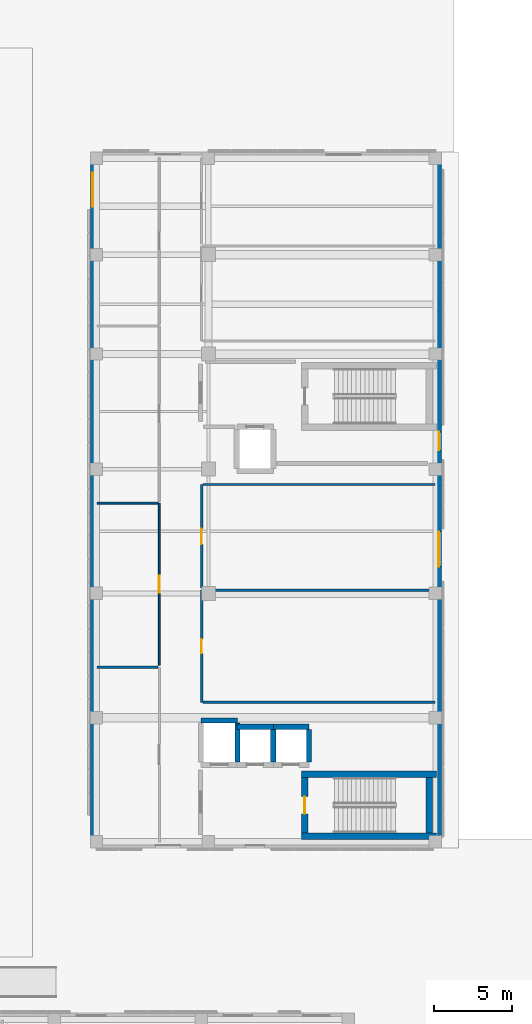
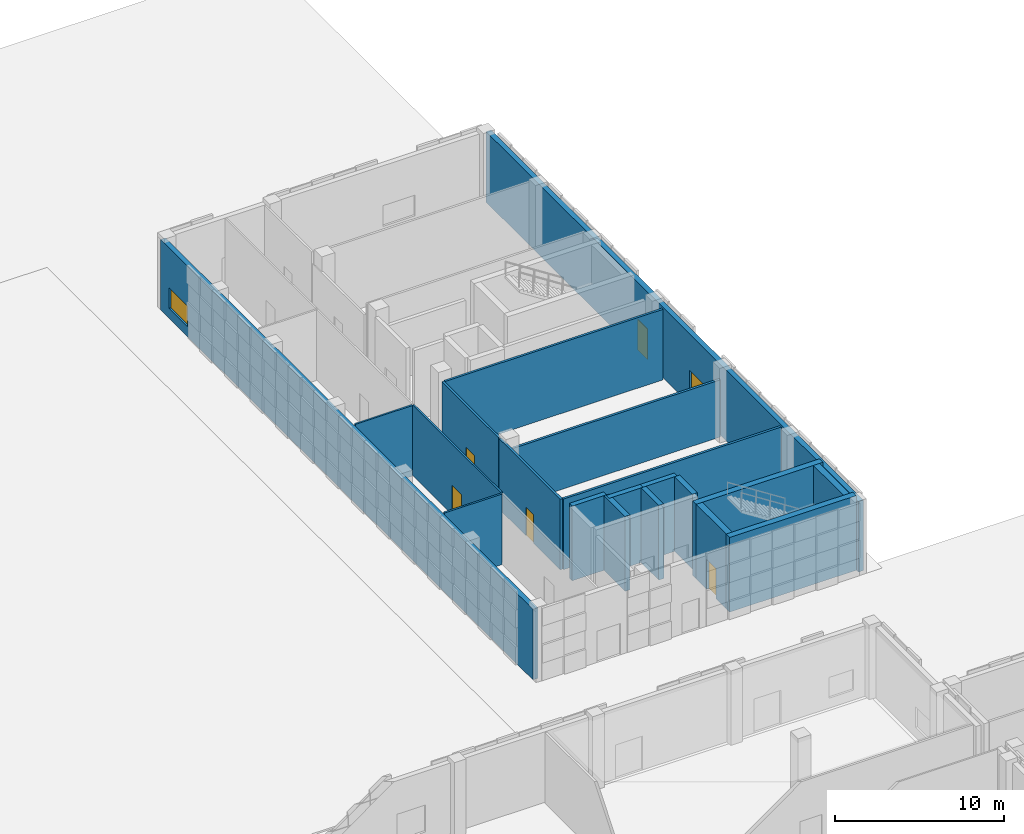
# One storey, part 12 of 40: 20 walls, 5 doors, 2 windows, 7 openings.
"""IFC4 building model written with IfcOpenShell, lengths in metres."""

from ifc_helpers import new_model, si_unit, direction, frame, frame_2d, origin, place, context, subcontext, project, spatial, rectangle, extrude, material, layer, layer_set, type_object, element, fill, save


model = new_model("IFC4")

# Units and contexts
model_context = context("Model", 3, precision=1e-05, world=origin(), true_north=direction((0.0, 1.0)))
body_context = subcontext(model_context, "Body", "Model", "MODEL_VIEW")
ifc_project = project(units=[si_unit("LENGTHUNIT", "METRE"), si_unit("AREAUNIT", "SQUARE_METRE"), si_unit("VOLUMEUNIT", "CUBIC_METRE"), si_unit("PLANEANGLEUNIT", "RADIAN"), si_unit("MASSUNIT", "GRAM", prefix="KILO")], contexts=[model_context])

# Site, building, storey
site_placement = place(None, origin())
site = spatial("IfcSite", under=ifc_project, at=site_placement, CompositionType="ELEMENT")
building_placement = place(site_placement, origin())
building = spatial("IfcBuilding", under=site, at=building_placement, Name="Qalavern Law Courts", CompositionType="ELEMENT")
storey_placement = place(building_placement, origin())
storey = spatial("IfcBuildingStorey", under=building, at=storey_placement, Name="L00", CompositionType="ELEMENT", Elevation=0.0)

# Wall, openings, door, window
ifc_material_1 = material(Name="Concrete C40/50", Category="concrete")
ifc_layer_1 = layer(ifc_material_1, 0.340087890625)
ifc_layer_set_1 = layer_set([ifc_layer_1], Name="Concrete C40/50")
wall_type_1 = type_object("IfcWallType", Name="ENV-EW-340", PredefinedType="SOLIDWALL", material=ifc_layer_set_1)
wall_1_placement = place(storey_placement, frame((106.6298828125, 41.35498046875, 0.0), z_axis=(0.0, 0.0, 1.0), x_axis=(0.0, 1.0, 0.0)))
wall_1 = element("IfcWall", 1, at=wall_1_placement, inside=storey, type_object=wall_type_1, Name="V4 exterior wall L00 east 1", PredefinedType="SOLIDWALL", context=body_context, shape_type="SweptSolid", body=[
    extrude(rectangle(XDim=44.110107421875, YDim=0.340087890625, at=frame_2d((22.05517578125, 0.0))), origin(), (0.0, 0.0, 1.0), 5.10009765625),
])
opening_1_placement = place(wall_1_placement, frame((25.2451171875, 0.0, 0.0)))
opening_1 = element("IfcOpeningElement", 2, at=opening_1_placement, cuts=wall_1, Name="Opening ED-ST-K1B", PredefinedType="OPENING", context=body_context, shape_type="SweptSolid", body=[
    extrude(rectangle(XDim=1.199951171875, YDim=2.199951171875, at=frame_2d((0.60009765625, 1.10009765625))), frame((0.0, 0.18505859375, 0.0), z_axis=(0.0, -1.0, 0.0), x_axis=(1.0, 0.0, 0.0)), (0.0, 0.0, 1.0), 0.369873046875),
])
opening_2_placement = place(wall_1_placement, frame((17.77490234375, 0.0, 0.719970703125)))
opening_2 = element("IfcOpeningElement", 3, at=opening_2_placement, cuts=wall_1, Name="Opening WN-16", PredefinedType="OPENING", context=body_context, shape_type="SweptSolid", body=[
    extrude(rectangle(XDim=2.25, YDim=1.75, at=frame_2d((1.125, 0.875))), frame((0.0, 0.18505859375, 0.0), z_axis=(0.0, -1.0, 0.0), x_axis=(1.0, 0.0, 0.0)), (0.0, 0.0, 1.0), 0.369873046875),
])
ifc_material_2 = material(Name="Thermally broken anodised aluminium and laminated safety glass", Category="aluminium")
door_type_1 = type_object("IfcDoorType", Name="ENV-ED-1200x2200", OperationType="NOTDEFINED", PredefinedType="DOOR", material=ifc_material_2)
door_1_placement = place(opening_1_placement, frame((1.199951171875, 0.0, 0.0), z_axis=(0.0, 0.0, 1.0), x_axis=(-1.0, 0.0, 0.0)))
door_1 = element("IfcDoor", 4, at=door_1_placement, inside=storey, type_object=door_type_1, Name="Ground pedestrian exit door ED-ST-K1B", OperationType="SINGLE_SWING_RIGHT", OverallHeight=2.199951171875, OverallWidth=1.199951171875, PredefinedType="DOOR", context=body_context, shape_type="SweptSolid", body=[
    extrude(rectangle(XDim=1.199951171875, YDim=2.199951171875, at=frame_2d((0.60009765625, 1.10009765625))), frame((0.0, 0.02490234375, 0.0), z_axis=(0.0, -1.0, 0.0), x_axis=(1.0, 0.0, 0.0)), (0.0, 0.0, 1.0), 0.050048828125),
])
fill(opening_1, door_1)
ifc_material_3 = material(Name="Anodised aluminium frame with low-E double glazing", Category="aluminium")
window_type_1 = type_object("IfcWindowType", Name="ENV-WIN-2250x1750", PartitioningType="SINGLE_PANEL", PredefinedType="WINDOW", material=ifc_material_3)
window_1_placement = place(opening_2_placement, origin())
window_1 = element("IfcWindow", 5, at=window_1_placement, inside=storey, type_object=window_type_1, Name="V4 window L00 east 5", OverallHeight=1.75, OverallWidth=2.25, PartitioningType="SINGLE_PANEL", PredefinedType="WINDOW", context=body_context, shape_type="SweptSolid", body=[
    extrude(rectangle(XDim=2.25, YDim=1.75, at=frame_2d((1.125, 0.875))), frame((0.0, 0.030029296875, 0.0), z_axis=(0.0, -1.0, 0.0), x_axis=(1.0, 0.0, 0.0)), (0.0, 0.0, 1.0), 0.06005859375),
])
fill(opening_2, window_1)

# Wall, opening, window
wall_2_placement = place(storey_placement, frame((84.3701171875, 85.465087890625, 0.0), z_axis=(0.0, 0.0, 1.0), x_axis=(0.0, -1.0, 0.0)))
wall_2 = element("IfcWall", 6, at=wall_2_placement, inside=storey, type_object=wall_type_1, Name="V4 exterior wall L00 west 1", PredefinedType="SOLIDWALL", context=body_context, shape_type="SweptSolid", body=[
    extrude(rectangle(XDim=44.110107421875, YDim=0.340087890625, at=frame_2d((22.05517578125, 0.0))), origin(), (0.0, 0.0, 1.0), 5.10009765625),
])
opening_3_placement = place(wall_2_placement, frame((1.0, 0.0, 0.719970703125)))
opening_3 = element("IfcOpeningElement", 7, at=opening_3_placement, cuts=wall_2, Name="Opening WN-08", PredefinedType="OPENING", context=body_context, shape_type="SweptSolid", body=[
    extrude(rectangle(XDim=2.199951171875, YDim=1.5, at=frame_2d((1.10009765625, 0.75))), frame((0.0, 0.18505859375, 0.0), z_axis=(0.0, -1.0, 0.0), x_axis=(1.0, 0.0, 0.0)), (0.0, 0.0, 1.0), 0.369873046875),
])
window_type_2 = type_object("IfcWindowType", Name="ENV-WIN-2200x1500", PartitioningType="SINGLE_PANEL", PredefinedType="WINDOW", material=ifc_material_3)
window_2_placement = place(opening_3_placement, origin())
window_2 = element("IfcWindow", 8, at=window_2_placement, inside=storey, type_object=window_type_2, Name="V4 window L00 west 1", OverallHeight=1.5, OverallWidth=2.199951171875, PartitioningType="SINGLE_PANEL", PredefinedType="WINDOW", context=body_context, shape_type="SweptSolid", body=[
    extrude(rectangle(XDim=2.199951171875, YDim=1.5, at=frame_2d((1.10009765625, 0.75))), frame((0.0, 0.030029296875, 0.0), z_axis=(0.0, -1.0, 0.0), x_axis=(1.0, 0.0, 0.0)), (0.0, 0.0, 1.0), 0.06005859375),
])
fill(opening_3, window_2)

# Walls
ifc_material_4 = material(Name="Concrete C45/55", Category="concrete")
ifc_layer_2 = layer(ifc_material_4, 0.4150390625)
ifc_layer_set_2 = layer_set([ifc_layer_2], Name="Concrete C45/55")
wall_type_2 = type_object("IfcWallType", Name="INT-CW-415", PredefinedType="SHEAR", material=ifc_layer_set_2)
wall_3_placement = place(storey_placement, frame((97.784912109375, 41.79248046875, 0.0), z_axis=(0.0, 0.0, 1.0), x_axis=(1.0, 0.0, 0.0)))
element("IfcWall", 9, at=wall_3_placement, inside=storey, type_object=wall_type_2, Name="Core K1A stair shear wall L00 south", PredefinedType="SHEAR", context=body_context, shape_type="SweptSolid", body=[
    extrude(rectangle(XDim=8.672119140625, YDim=0.4150390625, at=frame_2d((4.3359375, 0.0))), origin(), (0.0, 0.0, 1.0), 5.39990234375),
])
wall_4_placement = place(storey_placement, frame((106.007568359375, 42.0, 0.0), z_axis=(0.0, 0.0, 1.0), x_axis=(0.0, 1.0, 0.0)))
element("IfcWall", 10, at=wall_4_placement, inside=storey, type_object=wall_type_2, Name="Core K1A stair shear wall L00 east", PredefinedType="SHEAR", context=body_context, shape_type="SweptSolid", body=[
    extrude(rectangle(XDim=3.550048828125, YDim=0.4150390625, at=frame_2d((1.77490234375, 0.0))), origin(), (0.0, 0.0, 1.0), 5.39990234375),
])
wall_5_placement = place(storey_placement, frame((106.45703125, 45.757568359375, 0.0), z_axis=(0.0, 0.0, 1.0), x_axis=(-1.0, 0.0, 0.0)))
element("IfcWall", 11, at=wall_5_placement, inside=storey, type_object=wall_type_2, Name="Core K1A stair shear wall L00 north", PredefinedType="SHEAR", context=body_context, shape_type="SweptSolid", body=[
    extrude(rectangle(XDim=8.672119140625, YDim=0.4150390625, at=frame_2d((4.3359375, 0.0))), origin(), (0.0, 0.0, 1.0), 5.39990234375),
])

# Wall, opening, door
wall_6_placement = place(storey_placement, frame((97.992431640625, 45.550048828125, 0.0), z_axis=(0.0, 0.0, 1.0), x_axis=(0.0, -1.0, 0.0)))
wall_6 = element("IfcWall", 12, at=wall_6_placement, inside=storey, type_object=wall_type_2, Name="Core K1A stair shear wall L00 west", PredefinedType="SHEAR", context=body_context, shape_type="SweptSolid", body=[
    extrude(rectangle(XDim=3.550048828125, YDim=0.4150390625, at=frame_2d((1.77490234375, 0.0))), origin(), (0.0, 0.0, 1.0), 5.39990234375),
])
opening_4_placement = place(wall_6_placement, frame((1.22509765625, 0.0, 0.0)))
opening_4 = element("IfcOpeningElement", 13, at=opening_4_placement, cuts=wall_6, Name="Opening L00-D005", PredefinedType="OPENING", context=body_context, shape_type="SweptSolid", body=[
    extrude(rectangle(XDim=1.10009765625, YDim=2.14990234375, at=frame_2d((0.550048828125, 1.074951171875))), frame((0.0, 0.222412109375, 0.0), z_axis=(0.0, -1.0, 0.0), x_axis=(1.0, 0.0, 0.0)), (0.0, 0.0, 1.0), 0.44482421875),
])
ifc_material_5 = material(Name="Steel fire-rated stair enclosure door", Category="steel")
door_type_2 = type_object("IfcDoorType", Name="INT-FD-1100x2150", OperationType="NOTDEFINED", PredefinedType="DOOR", material=ifc_material_5)
door_2_placement = place(opening_4_placement, frame((1.10009765625, 0.0, 0.0), z_axis=(0.0, 0.0, 1.0), x_axis=(-1.0, 0.0, 0.0)))
door_2 = element("IfcDoor", 14, at=door_2_placement, inside=storey, type_object=door_type_2, Name="Stair K1A fire door L00", OperationType="SINGLE_SWING_LEFT", OverallHeight=2.14990234375, OverallWidth=1.10009765625, PredefinedType="DOOR", context=body_context, shape_type="SweptSolid", body=[
    extrude(rectangle(XDim=1.10009765625, YDim=2.14990234375, at=frame_2d((0.550048828125, 1.074951171875))), frame((0.0, 0.02490234375, 0.0), z_axis=(0.0, -1.0, 0.0), x_axis=(1.0, 0.0, 0.0)), (0.0, 0.0, 1.0), 0.050048828125),
])
fill(opening_4, door_2)

ifc_material_6 = material(Name="Gypsum stud partition")
ifc_layer_3 = layer(ifc_material_6, 0.1220703125)
ifc_layer_set_3 = layer_set([ifc_layer_3], Name="Gypsum stud partition")
wall_type_3 = type_object("IfcWallType", Name="INT-PW-122", PredefinedType="PARTITIONING", material=ifc_layer_set_3)
wall_7_placement = place(storey_placement, frame((88.639892578125, 52.77001953125, 0.0), z_axis=(0.0, 0.0, 1.0), x_axis=(0.0, 1.0, 0.0)))
wall_7 = element("IfcWall", 15, at=wall_7_placement, inside=storey, type_object=wall_type_3, Name="Commercial Filing Hall corridor partition L00", PredefinedType="PARTITIONING", context=body_context, shape_type="SweptSolid", body=[
    extrude(rectangle(XDim=10.44189453125, YDim=0.1220703125, at=frame_2d((5.220947265625, 0.0))), origin(), (0.0, 0.0, 1.0), 5.10009765625),
])
opening_5_placement = place(wall_7_placement, frame((4.660888671875, 0.0, 0.0)))
opening_5 = element("IfcOpeningElement", 16, at=opening_5_placement, cuts=wall_7, Name="Opening L00-D255", PredefinedType="OPENING", context=body_context, shape_type="SweptSolid", body=[
    extrude(rectangle(XDim=1.1201171875, YDim=2.139892578125, at=frame_2d((0.56005859375, 1.06982421875))), frame((0.0, 0.075927734375, 0.0), z_axis=(0.0, -1.0, 0.0), x_axis=(1.0, 0.0, 0.0)), (0.0, 0.0, 1.0), 0.15185546875),
])
ifc_material_7 = material(Name="Solid oak Appellate Chambers door")
door_type_3 = type_object("IfcDoorType", Name="INT-ID-1120x2140", OperationType="NOTDEFINED", PredefinedType="DOOR", material=ifc_material_7)
door_3_placement = place(opening_5_placement, frame((1.1201171875, 0.0, 0.0), z_axis=(0.0, 0.0, 1.0), x_axis=(-1.0, 0.0, 0.0)))
door_3 = element("IfcDoor", 17, at=door_3_placement, inside=storey, type_object=door_type_3, Name="Commercial Filing Hall door L00", OperationType="SINGLE_SWING_RIGHT", OverallHeight=2.139892578125, OverallWidth=1.1201171875, PredefinedType="DOOR", context=body_context, shape_type="SweptSolid", body=[
    extrude(rectangle(XDim=1.1201171875, YDim=2.139892578125, at=frame_2d((0.56005859375, 1.06982421875))), frame((0.0, 0.02490234375, 0.0), z_axis=(0.0, -1.0, 0.0), x_axis=(1.0, 0.0, 0.0)), (0.0, 0.0, 1.0), 0.050048828125),
])
fill(opening_5, door_3)

# Walls
wall_8_placement = place(storey_placement, frame((84.639892578125, 63.2119140625, 0.0), z_axis=(0.0, 0.0, 1.0), x_axis=(1.0, 0.0, 0.0)))
element("IfcWall", 18, at=wall_8_placement, inside=storey, type_object=wall_type_3, Name="Commercial Filing Hall cross partition L00 north", PredefinedType="PARTITIONING", context=body_context, shape_type="SweptSolid", body=[
    extrude(rectangle(XDim=3.919189453125, YDim=0.1220703125, at=frame_2d((1.95947265625, 0.0))), origin(), (0.0, 0.0, 1.0), 5.10009765625),
])
ifc_layer_4 = layer(ifc_material_6, 0.132080078125)
ifc_layer_set_4 = layer_set([ifc_layer_4], Name="Gypsum stud partition")
wall_type_4 = type_object("IfcWallType", Name="INT-PW-132", PredefinedType="PARTITIONING", material=ifc_layer_set_4)
wall_9_placement = place(storey_placement, frame((84.639892578125, 52.64990234375, 0.0), z_axis=(0.0, 0.0, 1.0), x_axis=(1.0, 0.0, 0.0)))
element("IfcWall", 19, at=wall_9_placement, inside=storey, type_object=wall_type_4, Name="Civil Case Registry cross partition L00 north", PredefinedType="PARTITIONING", context=body_context, shape_type="SweptSolid", body=[
    extrude(rectangle(XDim=3.9140625, YDim=0.132080078125, at=frame_2d((1.95703125, 0.0))), origin(), (0.0, 0.0, 1.0), 5.10009765625),
])

# Wall, opening, door
ifc_layer_5 = layer(ifc_material_6, 0.152099609375)
ifc_layer_set_5 = layer_set([ifc_layer_5], Name="Gypsum stud partition")
wall_type_5 = type_object("IfcWallType", Name="INT-PW-152", PredefinedType="PARTITIONING", material=ifc_layer_set_5)
wall_10_placement = place(storey_placement, frame((91.360107421875, 57.735107421875, 0.0), z_axis=(0.0, 0.0, 1.0), x_axis=(0.0, 1.0, 0.0)))
wall_10 = element("IfcWall", 20, at=wall_10_placement, inside=storey, type_object=wall_type_5, Name="Civil Case Registry corridor partition L00", PredefinedType="PARTITIONING", context=body_context, shape_type="SweptSolid", body=[
    extrude(rectangle(XDim=6.6748046875, YDim=0.152099609375, at=frame_2d((3.33740234375, 0.0))), origin(), (0.0, 0.0, 1.0), 5.10009765625),
])
opening_6_placement = place(wall_10_placement, frame((2.83740234375, 0.0, 0.0)))
opening_6 = element("IfcOpeningElement", 21, at=opening_6_placement, cuts=wall_10, Name="Opening L00-D259", PredefinedType="OPENING", context=body_context, shape_type="SweptSolid", body=[
    extrude(rectangle(XDim=1.0, YDim=2.10009765625, at=frame_2d((0.5, 1.050048828125))), frame((0.0, 0.0908203125, 0.0), z_axis=(0.0, -1.0, 0.0), x_axis=(1.0, 0.0, 0.0)), (0.0, 0.0, 1.0), 0.181884765625),
])
ifc_material_8 = material(Name="Timber Judicial Clerks' Office door", Category="wood")
door_type_4 = type_object("IfcDoorType", Name="INT-ID-1000x2100", OperationType="NOTDEFINED", PredefinedType="DOOR", material=ifc_material_8)
door_4_placement = place(opening_6_placement, origin())
door_4 = element("IfcDoor", 22, at=door_4_placement, inside=storey, type_object=door_type_4, Name="Civil Case Registry door L00", OperationType="SINGLE_SWING_RIGHT", OverallHeight=2.10009765625, OverallWidth=1.0, PredefinedType="DOOR", context=body_context, shape_type="SweptSolid", body=[
    extrude(rectangle(XDim=1.0, YDim=2.10009765625, at=frame_2d((0.5, 1.050048828125))), frame((0.0, 0.02490234375, 0.0), z_axis=(0.0, -1.0, 0.0), x_axis=(1.0, 0.0, 0.0)), (0.0, 0.0, 1.0), 0.050048828125),
])
fill(opening_6, door_4)

# Wall
wall_11_placement = place(storey_placement, frame((91.4560546875, 64.409912109375, 0.0), z_axis=(0.0, 0.0, 1.0), x_axis=(1.0, 0.0, 0.0)))
element("IfcWall", 23, at=wall_11_placement, inside=storey, type_object=wall_type_5, Name="Civil Case Registry cross partition L00 north", PredefinedType="PARTITIONING", context=body_context, shape_type="SweptSolid", body=[
    extrude(rectangle(XDim=14.904052734375, YDim=0.152099609375, at=frame_2d((7.4521484375, 0.0))), origin(), (0.0, 0.0, 1.0), 5.10009765625),
])

# Wall, opening, door
ifc_layer_6 = layer(ifc_material_6, 0.162109375)
ifc_layer_set_6 = layer_set([ifc_layer_6], Name="Gypsum stud partition")
wall_type_6 = type_object("IfcWallType", Name="INT-PW-162", PredefinedType="PARTITIONING", material=ifc_layer_set_6)
wall_12_placement = place(storey_placement, frame((91.360107421875, 50.389892578125, 0.0), z_axis=(0.0, 0.0, 1.0), x_axis=(0.0, 1.0, 0.0)))
wall_12 = element("IfcWall", 24, at=wall_12_placement, inside=storey, type_object=wall_type_6, Name="Accessible WC corridor partition L00", PredefinedType="PARTITIONING", context=body_context, shape_type="SweptSolid", body=[
    extrude(rectangle(XDim=7.22509765625, YDim=0.162109375, at=frame_2d((3.612548828125, 0.0))), origin(), (0.0, 0.0, 1.0), 5.10009765625),
])
opening_7_placement = place(wall_12_placement, frame((3.152587890625, 0.0, 0.0)))
opening_7 = element("IfcOpeningElement", 25, at=opening_7_placement, cuts=wall_12, Name="Opening L00-D258", PredefinedType="OPENING", context=body_context, shape_type="SweptSolid", body=[
    extrude(rectangle(XDim=0.919921875, YDim=2.06005859375, at=frame_2d((0.4599609375, 1.030029296875))), frame((0.0, 0.095947265625, 0.0), z_axis=(0.0, -1.0, 0.0), x_axis=(1.0, 0.0, 0.0)), (0.0, 0.0, 1.0), 0.19189453125),
])
ifc_material_9 = material(Name="Public and Staff WC door")
door_type_5 = type_object("IfcDoorType", Name="INT-ID-920x2060", OperationType="NOTDEFINED", PredefinedType="DOOR", material=ifc_material_9)
door_5_placement = place(opening_7_placement, origin())
door_5 = element("IfcDoor", 26, at=door_5_placement, inside=storey, type_object=door_type_5, Name="Accessible WC door L00", OperationType="SINGLE_SWING_LEFT", OverallHeight=2.06005859375, OverallWidth=0.919921875, PredefinedType="DOOR", context=body_context, shape_type="SweptSolid", body=[
    extrude(rectangle(XDim=0.919921875, YDim=2.06005859375, at=frame_2d((0.4599609375, 1.030029296875))), frame((0.0, 0.02490234375, 0.0), z_axis=(0.0, -1.0, 0.0), x_axis=(1.0, 0.0, 0.0)), (0.0, 0.0, 1.0), 0.050048828125),
])
fill(opening_7, door_5)

# Walls
wall_13_placement = place(storey_placement, frame((91.4609375, 50.389892578125, 0.0), z_axis=(0.0, 0.0, 1.0), x_axis=(1.0, 0.0, 0.0)))
element("IfcWall", 27, at=wall_13_placement, inside=storey, type_object=wall_type_6, Name="Accessible WC cross partition L00 south", PredefinedType="PARTITIONING", context=body_context, shape_type="SweptSolid", body=[
    extrude(rectangle(XDim=14.899169921875, YDim=0.162109375, at=frame_2d((7.44970703125, 0.0))), origin(), (0.0, 0.0, 1.0), 5.10009765625),
])
wall_14_placement = place(storey_placement, frame((91.4609375, 57.614990234375, 0.0), z_axis=(0.0, 0.0, 1.0), x_axis=(1.0, 0.0, 0.0)))
element("IfcWall", 28, at=wall_14_placement, inside=storey, type_object=wall_type_6, Name="Accessible WC cross partition L00 north", PredefinedType="PARTITIONING", context=body_context, shape_type="SweptSolid", body=[
    extrude(rectangle(XDim=14.899169921875, YDim=0.162109375, at=frame_2d((7.44970703125, 0.0))), origin(), (0.0, 0.0, 1.0), 4.1298828125),
])
ifc_layer_7 = layer(ifc_material_4, 0.344970703125)
ifc_layer_set_7 = layer_set([ifc_layer_7], Name="Concrete C45/55")
wall_type_7 = type_object("IfcWallType", Name="INT-SW-345", PredefinedType="SHEAR", material=ifc_layer_set_7)
wall_15_placement = place(storey_placement, frame((93.672607421875, 46.550048828125, 0.0), z_axis=(0.0, 0.0, 1.0), x_axis=(0.0, 1.0, 0.0)))
element("IfcWall", 29, at=wall_15_placement, inside=storey, type_object=wall_type_7, Name="Lift LF-FF1 shaft wall L00 east", PredefinedType="SHEAR", context=body_context, shape_type="SweptSolid", body=[
    extrude(rectangle(XDim=2.5, YDim=0.344970703125, at=frame_2d((1.25, 0.0))), origin(), (0.0, 0.0, 1.0), 5.39990234375),
])
wall_16_placement = place(storey_placement, frame((93.672607421875, 49.222412109375, 0.0), z_axis=(0.0, 0.0, 1.0), x_axis=(-1.0, 0.0, 0.0)))
element("IfcWall", 30, at=wall_16_placement, inside=storey, type_object=wall_type_7, Name="Lift LF-FF1 shaft wall L00 north", PredefinedType="SHEAR", context=body_context, shape_type="SweptSolid", body=[
    extrude(rectangle(XDim=2.34521484375, YDim=0.344970703125, at=frame_2d((1.172607421875, 0.0))), origin(), (0.0, 0.0, 1.0), 5.39990234375),
])
wall_17_placement = place(storey_placement, frame((95.972412109375, 46.550048828125, 0.0), z_axis=(0.0, 0.0, 1.0), x_axis=(0.0, 1.0, 0.0)))
element("IfcWall", 31, at=wall_17_placement, inside=storey, type_object=wall_type_7, Name="Lift LF-P1 shaft wall L00 east", PredefinedType="SHEAR", context=body_context, shape_type="SweptSolid", body=[
    extrude(rectangle(XDim=2.099853515625, YDim=0.344970703125, at=frame_2d((1.0498046875, 0.0))), origin(), (0.0, 0.0, 1.0), 5.39990234375),
])
wall_18_placement = place(storey_placement, frame((95.972412109375, 48.822509765625, 0.0), z_axis=(0.0, 0.0, 1.0), x_axis=(-1.0, 0.0, 0.0)))
element("IfcWall", 32, at=wall_18_placement, inside=storey, type_object=wall_type_7, Name="Lift LF-P1 shaft wall L00 north", PredefinedType="SHEAR", context=body_context, shape_type="SweptSolid", body=[
    extrude(rectangle(XDim=2.344970703125, YDim=0.344970703125, at=frame_2d((1.17236328125, 0.0))), origin(), (0.0, 0.0, 1.0), 5.39990234375),
])
wall_19_placement = place(storey_placement, frame((98.2724609375, 46.550048828125, 0.0), z_axis=(0.0, 0.0, 1.0), x_axis=(0.0, 1.0, 0.0)))
element("IfcWall", 33, at=wall_19_placement, inside=storey, type_object=wall_type_7, Name="Lift LF-P2 shaft wall L00 east", PredefinedType="SHEAR", context=body_context, shape_type="SweptSolid", body=[
    extrude(rectangle(XDim=2.099853515625, YDim=0.344970703125, at=frame_2d((1.0498046875, 0.0))), origin(), (0.0, 0.0, 1.0), 5.39990234375),
])
wall_20_placement = place(storey_placement, frame((98.2724609375, 48.822509765625, 0.0), z_axis=(0.0, 0.0, 1.0), x_axis=(-1.0, 0.0, 0.0)))
element("IfcWall", 34, at=wall_20_placement, inside=storey, type_object=wall_type_7, Name="Lift LF-P2 shaft wall L00 north", PredefinedType="SHEAR", context=body_context, shape_type="SweptSolid", body=[
    extrude(rectangle(XDim=2.344970703125, YDim=0.344970703125, at=frame_2d((1.17236328125, 0.0))), origin(), (0.0, 0.0, 1.0), 5.39990234375),
])

save(model, "model.ifc")
